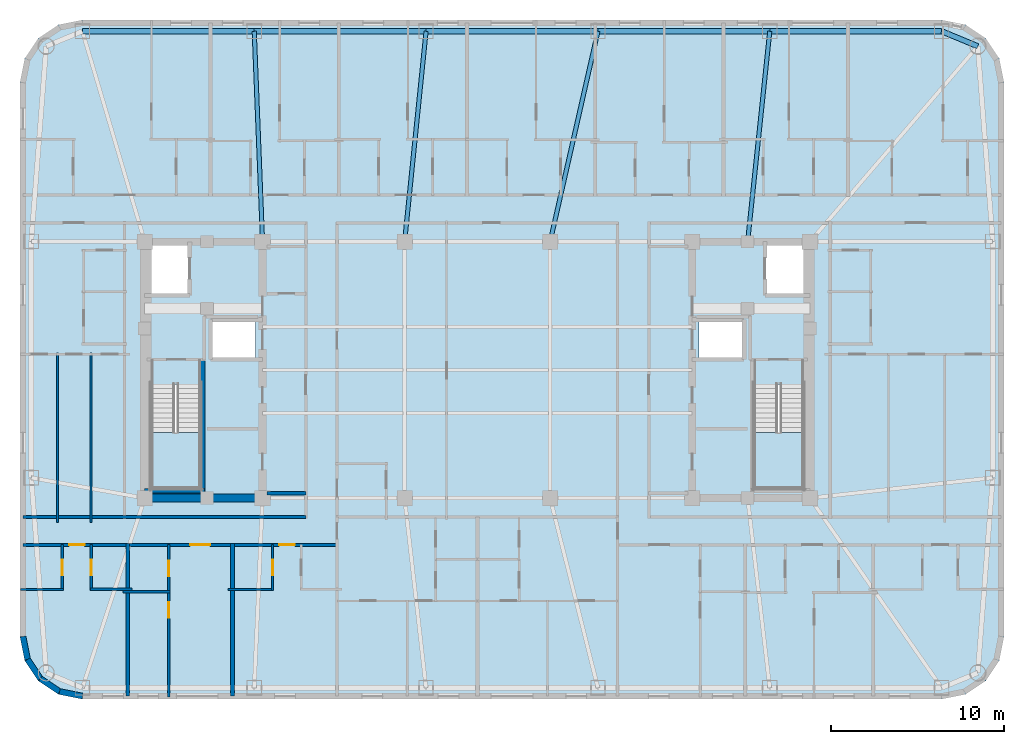
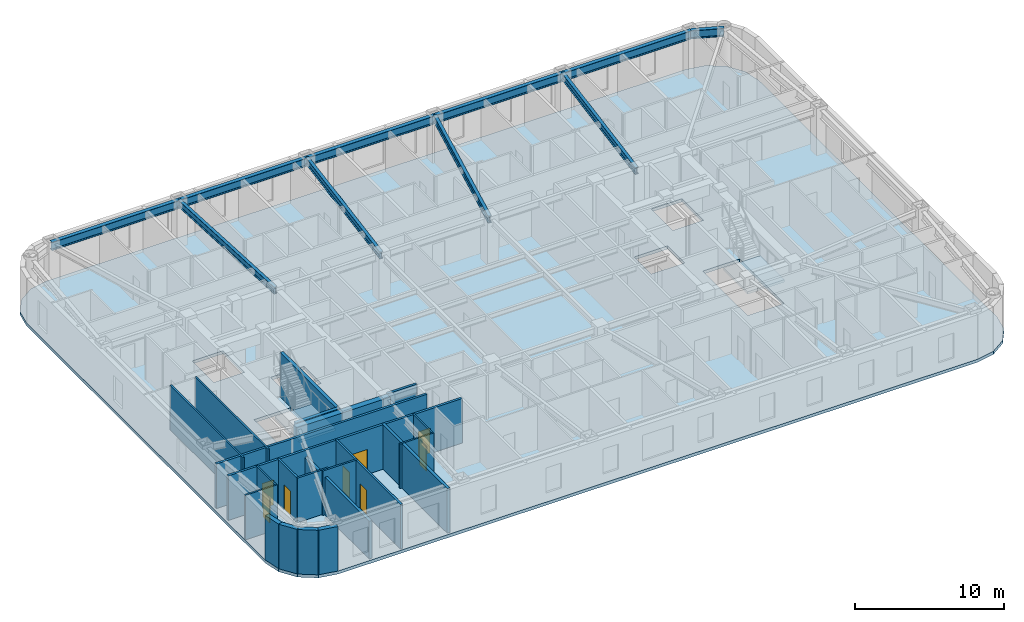
# One storey, part 2 of 11: 23 walls, 10 beams, 8 doors, 3 slabs, 8 openings, 2 elements without a shape of their own.
"""IFC4 building model written with IfcOpenShell, lengths in metres."""

from ifc_helpers import new_model, si_unit, direction, frame, frame_2d, origin, origin_2d, place, context, subcontext, project, spatial, polyline, rectangle, i_section, outline, extrude, material, layer, layer_set, material_profile, profile_set, type_object, element, fill, aggregate, save


model = new_model("IFC4")

# Units and contexts
model_context = context("Model", 3, precision=1e-05, world=origin(), true_north=direction((0.0, 1.0)))
body_context = subcontext(model_context, "Body", "Model", "MODEL_VIEW")
ifc_project = project(units=[si_unit("LENGTHUNIT", "METRE"), si_unit("AREAUNIT", "SQUARE_METRE"), si_unit("VOLUMEUNIT", "CUBIC_METRE"), si_unit("PLANEANGLEUNIT", "RADIAN"), si_unit("MASSUNIT", "GRAM", prefix="KILO")], contexts=[model_context])

# Site, building, storey
site_placement = place(None, origin())
site = spatial("IfcSite", under=ifc_project, at=site_placement, CompositionType="ELEMENT")
building_placement = place(site_placement, origin())
building = spatial("IfcBuilding", under=site, at=building_placement, Name="Voryun Gate Residences", CompositionType="ELEMENT")
storey_placement = place(building_placement, frame((0.0, 0.0, 235.300048828125)))
storey = spatial("IfcBuildingStorey", under=building, at=storey_placement, Name="L58", CompositionType="ELEMENT", Elevation=235.300048828125)

# Beams
ifc_material_1 = material(Name="Steel SM355", Category="steel")
ifc_material_profile_1 = material_profile(ifc_material_1, i_section(OverallWidth=0.300048828125, OverallDepth=0.679931640625, WebThickness=0.013916015625, FlangeThickness=0.02490234375, FilletRadius=0.01806640625, at=origin_2d()), Name="H-680x300x14x25")
ifc_profile_set_1 = profile_set([ifc_material_profile_1], Name="Steel SM355")
beam_type_1 = type_object("IfcBeamType", Name="BM_EXO_SPANDREL_M", PredefinedType="SPANDREL", material=ifc_profile_set_1)
beam_1_placement = place(storey_placement, frame((28.885986328125, 18.68603515625, 3.31005859375), z_axis=(-0.923881087602, 0.382679678022, 0.0), x_axis=(-0.382679678022, -0.923881087602, 0.0)))
element("IfcBeam", 1, at=beam_1_placement, inside=storey, type_object=beam_type_1, Name="BM-L58-SPAND-10", PredefinedType="SPANDREL", context=body_context, shape_type="SweptSolid", body=[
    extrude(i_section(OverallWidth=0.300048828125, OverallDepth=0.679931640625, WebThickness=0.013916015625, FlangeThickness=0.02490234375, FilletRadius=0.01806640625, at=origin_2d()), origin(), (0.0, 0.0, 1.0), 2.2578125),
])
beam_2_placement = place(storey_placement, frame((26.800048828125, 19.550048828125, 3.31005859375), z_axis=(-1.0, 0.0, 0.0), x_axis=(0.0, -1.0, 0.0)))
element("IfcBeam", 2, at=beam_2_placement, inside=storey, type_object=beam_type_1, Name="BM-L58-SPAND-11", PredefinedType="SPANDREL", context=body_context, shape_type="SweptSolid", body=[
    extrude(i_section(OverallWidth=0.300048828125, OverallDepth=0.679931640625, WebThickness=0.013916015625, FlangeThickness=0.02490234375, FilletRadius=0.01806640625, at=origin_2d()), origin(), (0.0, 0.0, 1.0), 9.920166015625),
])
for number, where, z_axis, x_axis, name in (
    (3, (16.8798828125, 19.550048828125, 3.31005859375), (-1.0, 0.0, 0.0), (0.0, -1.0, 0.0), "BM-L58-SPAND-12"),
    (4, (6.9599609375, 19.550048828125, 3.31005859375), (-1.0, 0.0, 0.0), (0.0, -1.0, 0.0), "BM-L58-SPAND-13"),
    (5, (-2.9599609375, 19.550048828125, 3.31005859375), (-1.0, 0.0, 0.0), (0.0, -1.0, 0.0), "BM-L58-SPAND-14"),
):
    element("IfcBeam", number, at=place(storey_placement, frame(where, z_axis=z_axis, x_axis=x_axis)), inside=storey, type_object=beam_type_1, Name=name, PredefinedType="SPANDREL", context=body_context, shape_type="SweptSolid", body=[
        extrude(i_section(OverallWidth=0.300048828125, OverallDepth=0.679931640625, WebThickness=0.013916015625, FlangeThickness=0.02490234375, FilletRadius=0.01806640625, at=origin_2d()), origin(), (0.0, 0.0, 1.0), 9.919921875),
    ])
beam_3_placement = place(storey_placement, frame((-12.8798828125, 19.550048828125, 3.31005859375), z_axis=(-1.0, 0.0, 0.0), x_axis=(0.0, -1.0, 0.0)))
element("IfcBeam", 6, at=beam_3_placement, inside=storey, type_object=beam_type_1, Name="BM-L58-SPAND-15", PredefinedType="SPANDREL", context=body_context, shape_type="SweptSolid", body=[
    extrude(i_section(OverallWidth=0.300048828125, OverallDepth=0.679931640625, WebThickness=0.013916015625, FlangeThickness=0.02490234375, FilletRadius=0.01806640625, at=origin_2d()), origin(), (0.0, 0.0, 1.0), 9.920166015625),
])
ifc_material_2 = material(Name="Steel SM355", Category="steel")
ifc_material_profile_2 = material_profile(ifc_material_2, i_section(OverallWidth=0.239990234375, OverallDepth=0.550048828125, WebThickness=0.011962890625, FlangeThickness=0.02001953125, FilletRadius=0.01806640625, at=origin_2d()), Name="H-550x240x12x20")
ifc_profile_set_2 = profile_set([ifc_material_profile_2], Name="Steel SM355")
beam_type_2 = type_object("IfcBeamType", Name="BM_GIRD_550", PredefinedType="USERDEFINED", material=ifc_profile_set_2)
beam_4_placement = place(storey_placement, frame((15.60009765625, 7.39990234375, 3.375), z_axis=(0.104751358085, 0.994498442925, 0.0), x_axis=(-0.994498442925, 0.104751358085, 0.0)))
element("IfcBeam", 7, at=beam_4_placement, inside=storey, type_object=beam_type_2, Name="BM-L58-RAD-N2", ObjectType="GIRDER", PredefinedType="USERDEFINED", context=body_context, shape_type="SweptSolid", body=[
    extrude(i_section(OverallWidth=0.239990234375, OverallDepth=0.550048828125, WebThickness=0.011962890625, FlangeThickness=0.02001953125, FilletRadius=0.01806640625, at=origin_2d()), origin(), (0.0, 0.0, 1.0), 12.21728515625),
])
beam_5_placement = place(storey_placement, frame((4.199951171875, 7.39990234375, 3.375), z_axis=(0.221515238368, 0.975156910026, 0.0), x_axis=(-0.975156910026, 0.221515238368, 0.0)))
element("IfcBeam", 8, at=beam_5_placement, inside=storey, type_object=beam_type_2, Name="BM-L58-RAD-N3", ObjectType="GIRDER", PredefinedType="USERDEFINED", context=body_context, shape_type="SweptSolid", body=[
    extrude(i_section(OverallWidth=0.239990234375, OverallDepth=0.550048828125, WebThickness=0.011962890625, FlangeThickness=0.02001953125, FilletRadius=0.01806640625, at=origin_2d()), origin(), (0.0, 0.0, 1.0), 12.459716796875),
])
beam_6_placement = place(storey_placement, frame((-4.199951171875, 7.39990234375, 3.375), z_axis=(0.101528223047, 0.994832659257, 0.0), x_axis=(-0.994832659257, 0.101528223047, 0.0)))
element("IfcBeam", 9, at=beam_6_placement, inside=storey, type_object=beam_type_2, Name="BM-L58-RAD-N4", ObjectType="GIRDER", PredefinedType="USERDEFINED", context=body_context, shape_type="SweptSolid", body=[
    extrude(i_section(OverallWidth=0.239990234375, OverallDepth=0.550048828125, WebThickness=0.011962890625, FlangeThickness=0.02001953125, FilletRadius=0.01806640625, at=origin_2d()), origin(), (0.0, 0.0, 1.0), 12.213134765625),
])
beam_7_placement = place(storey_placement, frame((-12.39990234375, 7.39990234375, 3.375), z_axis=(-0.039473300578, 0.999220625558, 0.0), x_axis=(-0.999220625558, -0.039473300578, 0.0)))
element("IfcBeam", 10, at=beam_7_placement, inside=storey, type_object=beam_type_2, Name="BM-L58-RAD-N5", ObjectType="GIRDER", PredefinedType="USERDEFINED", context=body_context, shape_type="SweptSolid", body=[
    extrude(i_section(OverallWidth=0.239990234375, OverallDepth=0.550048828125, WebThickness=0.011962890625, FlangeThickness=0.02001953125, FilletRadius=0.01806640625, at=origin_2d()), origin(), (0.0, 0.0, 1.0), 12.15966796875),
])

# Slab
ifc_material_3 = material(Name="Concrete C40/50", Category="concrete")
ifc_layer_1 = layer(ifc_material_3, 0.25, Name="SLB_RES_250")
ifc_layer_set_1 = layer_set([ifc_layer_1], Name="Concrete C40/50")
slab_type_1 = type_object("IfcSlabType", Name="SLB_RES_250", PredefinedType="FLOOR", material=ifc_layer_set_1)
slab_1_placement = place(storey_placement, frame((0.0, 0.0, -0.25)))
element("IfcSlab", 11, at=slab_1_placement, inside=storey, type_object=slab_type_1, Name="L58 Structural Floor Slab", PredefinedType="FLOOR", context=body_context, shape_type="SweptSolid", body=[
    extrude(outline(polyline([(-22.800048828125, -19.0), (-24.177734375, -18.72607421875), (-25.345458984375, -17.945556640625), (-26.1259765625, -16.777587890625), (-26.39990234375, -15.39990234375), (-26.39990234375, 16.60009765625), (-26.1259765625, 17.9775390625), (-25.345458984375, 19.1455078125), (-24.177734375, 19.926025390625), (-22.800048828125, 20.199951171875), (26.800048828125, 20.199951171875), (28.177734375, 19.926025390625), (29.345458984375, 19.1455078125), (30.1259765625, 17.9775390625), (30.39990234375, 16.60009765625), (30.39990234375, -15.39990234375), (30.1259765625, -16.777587890625), (29.345458984375, -17.945556640625), (28.177734375, -18.72607421875), (26.800048828125, -19.0), (-22.800048828125, -19.0)]), holes=[polyline([(-15.97509765625, -0.840087890625), (-18.824951171875, -0.840087890625), (-18.824951171875, -6.85009765625), (-15.97509765625, -6.85009765625), (-15.97509765625, -0.840087890625)]), polyline([(18.824951171875, -6.85009765625), (18.824951171875, -0.840087890625), (15.97509765625, -0.840087890625), (15.97509765625, -6.85009765625), (18.824951171875, -6.85009765625)]), polyline([(-12.800048828125, 2.89990234375), (-15.39990234375, 2.89990234375), (-15.39990234375, 0.60009765625), (-12.800048828125, 0.60009765625), (-12.800048828125, 2.89990234375)]), polyline([(12.800048828125, 2.89990234375), (12.800048828125, 0.60009765625), (15.39990234375, 0.60009765625), (15.39990234375, 2.89990234375), (12.800048828125, 2.89990234375)]), polyline([(-16.60009765625, 7.199951171875), (-19.0, 7.199951171875), (-19.0, 4.300048828125), (-16.60009765625, 4.300048828125), (-16.60009765625, 7.199951171875)]), polyline([(19.0, 7.199951171875), (16.60009765625, 7.199951171875), (16.60009765625, 4.300048828125), (19.0, 4.300048828125), (19.0, 7.199951171875)])]), origin(), (0.0, 0.0, 1.0), 0.25),
])

# Stair, slab
ifc_material_4 = material(Name="Concrete C40/50", Category="concrete")
stair_type = type_object("IfcStairType", Name="STR_CORE_DOGLEG_1350", PredefinedType="HALF_TURN_STAIR", material=ifc_material_4)
stair_1_placement = place(storey_placement, origin())
stair_1 = element("IfcStair", 12, at=stair_1_placement, inside=storey, type_object=stair_type, Name="L58 Special Escape Stair ST-W1", PredefinedType="HALF_TURN_STAIR")
ifc_material_5 = material(Name="Concrete C40/50", Category="concrete")
ifc_layer_2 = layer(ifc_material_5, 0.199951171875, Name="SLB_STAIR_LANDING_200")
ifc_layer_set_2 = layer_set([ifc_layer_2], Name="Concrete C40/50")
slab_type_2 = type_object("IfcSlabType", Name="SLB_STAIR_LANDING_200", PredefinedType="LANDING", material=ifc_layer_set_2)
slab_2_placement = place(storey_placement, frame((0.0, 0.0, 1.75)))
slab_2 = element("IfcSlab", 13, at=slab_2_placement, type_object=slab_type_2, Name="ST-W1 landing 1", PredefinedType="LANDING", context=body_context, shape_type="SweptSolid", body=[
    extrude(outline(polyline([(-18.824951171875, -3.60009765625), (-18.824951171875, -6.85009765625), (-15.97509765625, -6.85009765625), (-15.97509765625, -3.60009765625), (-18.824951171875, -3.60009765625)])), origin(), (0.0, 0.0, 1.0), 0.199951171875),
])
aggregate(stair_1, [slab_2])

stair_2_placement = place(storey_placement, origin())
stair_2 = element("IfcStair", 14, at=stair_2_placement, inside=storey, type_object=stair_type, Name="L58 Special Escape Stair ST-E1", PredefinedType="HALF_TURN_STAIR")
slab_3_placement = place(storey_placement, frame((0.0, 0.0, 1.75)))
slab_3 = element("IfcSlab", 15, at=slab_3_placement, type_object=slab_type_2, Name="ST-E1 landing 1", PredefinedType="LANDING", context=body_context, shape_type="SweptSolid", body=[
    extrude(outline(polyline([(15.97509765625, -3.60009765625), (15.97509765625, -6.85009765625), (18.824951171875, -6.85009765625), (18.824951171875, -3.60009765625), (15.97509765625, -3.60009765625)])), origin(), (0.0, 0.0, 1.0), 0.199951171875),
])
aggregate(stair_2, [slab_3])

# Walls
ifc_material_6 = material(Name="Concrete C50/60", Category="concrete")
ifc_layer_3 = layer(ifc_material_6, 0.449951171875, Name="CW_CORE_450")
ifc_layer_set_3 = layer_set([ifc_layer_3], Name="Concrete C50/60")
wall_type_1 = type_object("IfcWallType", Name="CW_CORE_450", PredefinedType="SHEAR", material=ifc_layer_set_3)
wall_1_placement = place(storey_placement, frame((-19.425048828125, -7.39990234375, 0.0), z_axis=(0.0, 0.0, 1.0), x_axis=(1.0, 0.0, 0.0)))
element("IfcWall", 16, at=wall_1_placement, inside=storey, type_object=wall_type_1, Name="L58 Core shear wall CW-L58-WS", PredefinedType="SHEAR", context=body_context, shape_type="SweptSolid", body=[
    extrude(rectangle(XDim=7.25, YDim=0.449951171875, at=frame_2d((3.625, 0.0))), origin(), (0.0, 0.0, 1.0), 3.64990234375),
])
ifc_material_7 = material(Name="Gypsum acoustic fireboard")
ifc_layer_4 = layer(ifc_material_7, 0.179931640625, Name="W_CORR_RATED_180")
ifc_layer_set_4 = layer_set([ifc_layer_4], Name="Gypsum acoustic fireboard")
wall_type_2 = type_object("IfcWallType", Name="W_CORR_RATED_180", PredefinedType="PARTITIONING", material=ifc_layer_set_4)
wall_2_placement = place(storey_placement, frame((-12.14990234375, -7.1201171875, 0.0), z_axis=(0.0, 0.0, 1.0), x_axis=(1.0, 0.0, 0.0)))
element("IfcWall", 17, at=wall_2_placement, inside=storey, type_object=wall_type_2, Name="Partition wall WP-L58-PLBS-W", PredefinedType="PARTITIONING", context=body_context, shape_type="SweptSolid", body=[
    extrude(rectangle(XDim=2.27001953125, YDim=0.179931640625, at=frame_2d((1.135009765625, 0.0))), origin(), (0.0, 0.0, 1.0), 3.64990234375),
])
wall_3_placement = place(storey_placement, frame((-26.22998046875, -8.489990234375, 0.0), z_axis=(0.0, 0.0, 1.0), x_axis=(1.0, 0.0, 0.0)))
element("IfcWall", 18, at=wall_3_placement, inside=storey, type_object=wall_type_2, Name="Partition wall WP-L58-CWING-WS", PredefinedType="PARTITIONING", context=body_context, shape_type="SweptSolid", body=[
    extrude(rectangle(XDim=16.35009765625, YDim=0.179931640625, at=frame_2d((8.175048828125, 0.0))), origin(), (0.0, 0.0, 1.0), 3.64990234375),
])

# Wall, openings, doors
wall_4_placement = place(storey_placement, frame((-26.22998046875, -10.10009765625, 0.0), z_axis=(0.0, 0.0, 1.0), x_axis=(1.0, 0.0, 0.0)))
wall_4 = element("IfcWall", 19, at=wall_4_placement, inside=storey, type_object=wall_type_2, Name="Partition wall WP-L58-SCORR-W", PredefinedType="PARTITIONING", context=body_context, shape_type="SweptSolid", body=[
    extrude(rectangle(XDim=18.14990234375, YDim=0.179931640625, at=frame_2d((9.074951171875, 0.0))), origin(), (0.0, 0.0, 1.0), 3.64990234375),
])
opening_1_placement = place(wall_4_placement, frame((2.6591796875, 0.0, 0.0)))
opening_1 = element("IfcOpeningElement", 20, at=opening_1_placement, cuts=wall_4, Name="Opening D-INT-2", PredefinedType="OPENING", context=body_context, shape_type="SweptSolid", body=[
    extrude(rectangle(XDim=0.89990234375, YDim=2.050048828125, at=frame_2d((0.449951171875, 1.02490234375))), frame((0.0, 0.099853515625, 0.0), z_axis=(0.0, -1.0, 0.0), x_axis=(1.0, 0.0, 0.0)), (0.0, 0.0, 1.0), 0.199951171875),
])
opening_2_placement = place(wall_4_placement, frame((9.654296875, 0.0, 0.0)))
opening_2 = element("IfcOpeningElement", 21, at=opening_2_placement, cuts=wall_4, Name="Opening D-UNIT-1", PredefinedType="OPENING", context=body_context, shape_type="SweptSolid", body=[
    extrude(rectangle(XDim=1.14990234375, YDim=2.050048828125, at=frame_2d((0.574951171875, 1.02490234375))), frame((0.0, 0.099853515625, 0.0), z_axis=(0.0, -1.0, 0.0), x_axis=(1.0, 0.0, 0.0)), (0.0, 0.0, 1.0), 0.199951171875),
])
opening_3_placement = place(wall_4_placement, frame((14.79248046875, 0.0, 0.0)))
opening_3 = element("IfcOpeningElement", 22, at=opening_3_placement, cuts=wall_4, Name="Opening D-INT-2", PredefinedType="OPENING", context=body_context, shape_type="SweptSolid", body=[
    extrude(rectangle(XDim=0.89990234375, YDim=2.050048828125, at=frame_2d((0.449951171875, 1.02490234375))), frame((0.0, 0.099853515625, 0.0), z_axis=(0.0, -1.0, 0.0), x_axis=(1.0, 0.0, 0.0)), (0.0, 0.0, 1.0), 0.199951171875),
])
ifc_material_8 = material(Name="Architectural oak veneer")
door_type_1 = type_object("IfcDoorType", Name="DR_INT_BATH_900", OperationType="NOTDEFINED", PredefinedType="DOOR", material=ifc_material_8)
door_1_placement = place(opening_1_placement, origin())
door_1 = element("IfcDoor", 23, at=door_1_placement, inside=storey, type_object=door_type_1, Name="Door DR-L58-SENT-1", OperationType="SINGLE_SWING_RIGHT", OverallHeight=2.050048828125, OverallWidth=0.89990234375, PredefinedType="DOOR", context=body_context, shape_type="SweptSolid", body=[
    extrude(rectangle(XDim=0.89990234375, YDim=2.050048828125, at=frame_2d((0.449951171875, 1.02490234375))), frame((0.0, 0.02490234375, 0.0), z_axis=(0.0, -1.0, 0.0), x_axis=(1.0, 0.0, 0.0)), (0.0, 0.0, 1.0), 0.050048828125),
])
fill(opening_1, door_1)
door_2_placement = place(opening_3_placement, origin())
door_2 = element("IfcDoor", 24, at=door_2_placement, inside=storey, type_object=door_type_1, Name="Door DR-L58-SENT-3", OperationType="SINGLE_SWING_RIGHT", OverallHeight=2.050048828125, OverallWidth=0.89990234375, PredefinedType="DOOR", context=body_context, shape_type="SweptSolid", body=[
    extrude(rectangle(XDim=0.89990234375, YDim=2.050048828125, at=frame_2d((0.449951171875, 1.02490234375))), frame((0.0, 0.02490234375, 0.0), z_axis=(0.0, -1.0, 0.0), x_axis=(1.0, 0.0, 0.0)), (0.0, 0.0, 1.0), 0.050048828125),
])
fill(opening_3, door_2)
ifc_material_9 = material(Name="Armoured timber-clad fire door", Category="wood")
door_type_2 = type_object("IfcDoorType", Name="DR_UNIT_ENTRY_1150", OperationType="NOTDEFINED", PredefinedType="DOOR", material=ifc_material_9)
door_3_placement = place(opening_2_placement, origin())
door_3 = element("IfcDoor", 25, at=door_3_placement, inside=storey, type_object=door_type_2, Name="Door DR-L58-SENT-2", OperationType="SINGLE_SWING_LEFT", OverallHeight=2.050048828125, OverallWidth=1.14990234375, PredefinedType="DOOR", context=body_context, shape_type="SweptSolid", body=[
    extrude(rectangle(XDim=1.14990234375, YDim=2.050048828125, at=frame_2d((0.574951171875, 1.02490234375))), frame((0.0, 0.02490234375, 0.0), z_axis=(0.0, -1.0, 0.0), x_axis=(1.0, 0.0, 0.0)), (0.0, 0.0, 1.0), 0.050048828125),
])
fill(opening_2, door_3)

# Walls
ifc_material_10 = material(Name="Charcoal terracotta masonry", Category="masonry")
ifc_layer_5 = layer(ifc_material_10, 0.340087890625, Name="W_EXT_TERRACOTTA_340")
ifc_layer_set_5 = layer_set([ifc_layer_5], Name="Charcoal terracotta masonry")
wall_type_3 = type_object("IfcWallType", Name="W_EXT_TERRACOTTA_340", PredefinedType="ELEMENTEDWALL", material=ifc_layer_set_5)
wall_5_placement = place(storey_placement, frame((-22.783203125, -18.830078125, 0.0), z_axis=(0.0, 0.0, 1.0), x_axis=(-0.980788153188, 0.195075878998, 0.0)))
element("IfcWall", 26, at=wall_5_placement, inside=storey, type_object=wall_type_3, Name="Exterior wall WEXT-L58-02", PredefinedType="ELEMENTEDWALL", context=body_context, shape_type="SweptSolid", body=[
    extrude(rectangle(XDim=1.354248046875, YDim=0.340087890625, at=frame_2d((0.67724609375, 0.0))), origin(), (0.0, 0.0, 1.0), 3.64990234375),
])
wall_6_placement = place(storey_placement, frame((-24.111328125, -18.56591796875, 0.0), z_axis=(0.0, 0.0, 1.0), x_axis=(-0.831403586725, 0.555669034571, 0.0)))
element("IfcWall", 27, at=wall_6_placement, inside=storey, type_object=wall_type_3, Name="Exterior wall WEXT-L58-03", PredefinedType="ELEMENTEDWALL", context=body_context, shape_type="SweptSolid", body=[
    extrude(rectangle(XDim=1.3369140625, YDim=0.340087890625, at=frame_2d((0.66845703125, 0.0))), origin(), (0.0, 0.0, 1.0), 3.64990234375),
])
wall_7_placement = place(storey_placement, frame((-25.222900390625, -17.822998046875, 0.0), z_axis=(0.0, 0.0, 1.0), x_axis=(-0.555584683399, 0.831459956686, 0.0)))
element("IfcWall", 28, at=wall_7_placement, inside=storey, type_object=wall_type_3, Name="Exterior wall WEXT-L58-04", PredefinedType="ELEMENTEDWALL", context=body_context, shape_type="SweptSolid", body=[
    extrude(rectangle(XDim=1.337158203125, YDim=0.340087890625, at=frame_2d((0.66845703125, 0.0))), origin(), (0.0, 0.0, 1.0), 3.64990234375),
])
wall_8_placement = place(storey_placement, frame((-25.9658203125, -16.711181640625, 0.0), z_axis=(0.0, 0.0, 1.0), x_axis=(-0.195110379894, 0.98078129043, 0.0)))
element("IfcWall", 29, at=wall_8_placement, inside=storey, type_object=wall_type_3, Name="Exterior wall WEXT-L58-05", PredefinedType="ELEMENTEDWALL", context=body_context, shape_type="SweptSolid", body=[
    extrude(rectangle(XDim=1.35400390625, YDim=0.340087890625, at=frame_2d((0.677001953125, 0.0))), origin(), (0.0, 0.0, 1.0), 3.64990234375),
])
ifc_material_11 = material(Name="Concrete C40/50", Category="concrete")
ifc_layer_6 = layer(ifc_material_11, 0.219970703125, Name="W_PARTY_ACOUSTIC_220")
ifc_layer_set_6 = layer_set([ifc_layer_6], Name="Concrete C40/50")
wall_type_4 = type_object("IfcWallType", Name="W_PARTY_ACOUSTIC_220", PredefinedType="PARTITIONING", material=ifc_layer_set_6)
wall_9_placement = place(storey_placement, frame((-20.18505859375, -18.830078125, 0.0), z_axis=(0.0, 0.0, 1.0), x_axis=(0.0, 1.0, 0.0)))
element("IfcWall", 30, at=wall_9_placement, inside=storey, type_object=wall_type_4, Name="Partition wall WP-L58-SPTY-1", PredefinedType="PARTITIONING", context=body_context, shape_type="SweptSolid", body=[
    extrude(rectangle(XDim=8.81005859375, YDim=0.219970703125, at=frame_2d((4.405029296875, 0.0))), origin(), (0.0, 0.0, 1.0), 3.08984375),
])
wall_10_placement = place(storey_placement, frame((-14.132080078125, -18.830078125, 0.0), z_axis=(0.0, 0.0, 1.0), x_axis=(0.0, 1.0, 0.0)))
element("IfcWall", 31, at=wall_10_placement, inside=storey, type_object=wall_type_4, Name="Partition wall WP-L58-SPTY-2", PredefinedType="PARTITIONING", context=body_context, shape_type="SweptSolid", body=[
    extrude(rectangle(XDim=8.81005859375, YDim=0.219970703125, at=frame_2d((4.405029296875, 0.0))), origin(), (0.0, 0.0, 1.0), 3.64990234375),
])
ifc_material_12 = material(Name="Concrete C50/60", Category="concrete")
ifc_layer_7 = layer(ifc_material_12, 0.25, Name="W_SHAFT_RC250")
ifc_layer_set_7 = layer_set([ifc_layer_7], Name="Concrete C50/60")
wall_type_5 = type_object("IfcWallType", Name="W_SHAFT_RC250", PredefinedType="SOLIDWALL", material=ifc_layer_set_7)
wall_11_placement = place(storey_placement, frame((-15.860107421875, -7.0849609375, 0.0), z_axis=(0.0, 0.0, 1.0), x_axis=(0.0, 1.0, 0.0)))
element("IfcWall", 32, at=wall_11_placement, inside=storey, type_object=wall_type_5, Name="L58 Stair shaft structural wall W-STR", PredefinedType="SOLIDWALL", context=body_context, shape_type="SweptSolid", body=[
    extrude(rectangle(XDim=7.68505859375, YDim=0.25, at=frame_2d((3.842529296875, 0.0))), origin(), (0.0, 0.0, 1.0), 3.64990234375),
])
wall_12_placement = place(storey_placement, frame((-19.199951171875, -6.965087890625, 0.0), z_axis=(0.0, 0.0, 1.0), x_axis=(1.0, 0.0, 0.0)))
element("IfcWall", 33, at=wall_12_placement, inside=storey, type_object=wall_type_5, Name="L58 Stair shaft structural wall W-STS", PredefinedType="SOLIDWALL", context=body_context, shape_type="SweptSolid", body=[
    extrude(rectangle(XDim=3.4599609375, YDim=0.25, at=frame_2d((1.72998046875, 0.0))), origin(), (0.0, 0.0, 1.0), 3.64990234375),
])

# Wall, opening, door
ifc_material_13 = material(Name="Gypsum acoustic partition")
ifc_layer_8 = layer(ifc_material_13, 0.125, Name="W_UNIT_PART_125")
ifc_layer_set_8 = layer_set([ifc_layer_8], Name="Gypsum acoustic partition")
wall_type_6 = type_object("IfcWallType", Name="W_UNIT_PART_125", PredefinedType="PARTITIONING", material=ifc_layer_set_8)
wall_13_placement = place(storey_placement, frame((-23.9599609375, -12.72998046875, 0.0), z_axis=(0.0, 0.0, 1.0), x_axis=(0.0, 1.0, 0.0)))
wall_13 = element("IfcWall", 34, at=wall_13_placement, inside=storey, type_object=wall_type_6, Name="Partition wall WP-L58-S1-CVK", PredefinedType="PARTITIONING", context=body_context, shape_type="SweptSolid", body=[
    extrude(rectangle(XDim=2.64990234375, YDim=0.125, at=frame_2d((1.324951171875, 0.0))), origin(), (0.0, 0.0, 1.0), 3.64990234375),
])
opening_4_placement = place(wall_13_placement, frame((0.875, 0.0, 0.0)))
opening_4 = element("IfcOpeningElement", 35, at=opening_4_placement, cuts=wall_13, Name="Opening D-INT-2", PredefinedType="OPENING", context=body_context, shape_type="SweptSolid", body=[
    extrude(rectangle(XDim=0.89990234375, YDim=2.050048828125, at=frame_2d((0.449951171875, 1.02490234375))), frame((0.0, 0.072509765625, 0.0), z_axis=(0.0, -1.0, 0.0), x_axis=(1.0, 0.0, 0.0)), (0.0, 0.0, 1.0), 0.14501953125),
])
door_4_placement = place(opening_4_placement, origin())
door_4 = element("IfcDoor", 36, at=door_4_placement, inside=storey, type_object=door_type_1, Name="Door DR-L58-S1-DK", OperationType="SINGLE_SWING_LEFT", OverallHeight=2.050048828125, OverallWidth=0.89990234375, PredefinedType="DOOR", context=body_context, shape_type="SweptSolid", body=[
    extrude(rectangle(XDim=0.89990234375, YDim=2.050048828125, at=frame_2d((0.449951171875, 1.02490234375))), frame((0.0, 0.02490234375, 0.0), z_axis=(0.0, -1.0, 0.0), x_axis=(1.0, 0.0, 0.0)), (0.0, 0.0, 1.0), 0.050048828125),
])
fill(opening_4, door_4)

# Wall
wall_14_placement = place(storey_placement, frame((-26.3798828125, -12.669921875, 0.0), z_axis=(0.0, 0.0, 1.0), x_axis=(1.0, 0.0, 0.0)))
element("IfcWall", 37, at=wall_14_placement, inside=storey, type_object=wall_type_6, Name="Partition wall WP-L58-S1-CHK", PredefinedType="PARTITIONING", context=body_context, shape_type="SweptSolid", body=[
    extrude(rectangle(XDim=2.47998046875, YDim=0.125, at=frame_2d((1.239990234375, 0.0))), origin(), (0.0, 0.0, 1.0), 3.64990234375),
])

# Wall, opening, door
wall_15_placement = place(storey_placement, frame((-11.818115234375, -12.72998046875, 0.0), z_axis=(0.0, 0.0, 1.0), x_axis=(0.0, 1.0, 0.0)))
wall_15 = element("IfcWall", 38, at=wall_15_placement, inside=storey, type_object=wall_type_6, Name="Partition wall WP-L58-S3-CVK", PredefinedType="PARTITIONING", context=body_context, shape_type="SweptSolid", body=[
    extrude(rectangle(XDim=2.64990234375, YDim=0.125, at=frame_2d((1.324951171875, 0.0))), origin(), (0.0, 0.0, 1.0), 3.64990234375),
])
opening_5_placement = place(wall_15_placement, frame((0.875, 0.0, 0.0)))
opening_5 = element("IfcOpeningElement", 39, at=opening_5_placement, cuts=wall_15, Name="Opening D-INT-2", PredefinedType="OPENING", context=body_context, shape_type="SweptSolid", body=[
    extrude(rectangle(XDim=0.89990234375, YDim=2.050048828125, at=frame_2d((0.449951171875, 1.02490234375))), frame((0.0, 0.072509765625, 0.0), z_axis=(0.0, -1.0, 0.0), x_axis=(1.0, 0.0, 0.0)), (0.0, 0.0, 1.0), 0.14501953125),
])
door_5_placement = place(opening_5_placement, origin())
door_5 = element("IfcDoor", 40, at=door_5_placement, inside=storey, type_object=door_type_1, Name="Door DR-L58-S3-DK", OperationType="SINGLE_SWING_LEFT", OverallHeight=2.050048828125, OverallWidth=0.89990234375, PredefinedType="DOOR", context=body_context, shape_type="SweptSolid", body=[
    extrude(rectangle(XDim=0.89990234375, YDim=2.050048828125, at=frame_2d((0.449951171875, 1.02490234375))), frame((0.0, 0.02490234375, 0.0), z_axis=(0.0, -1.0, 0.0), x_axis=(1.0, 0.0, 0.0)), (0.0, 0.0, 1.0), 0.050048828125),
])
fill(opening_5, door_5)

# Walls
wall_16_placement = place(storey_placement, frame((-14.39208984375, -12.669921875, 0.0), z_axis=(0.0, 0.0, 1.0), x_axis=(1.0, 0.0, 0.0)))
element("IfcWall", 41, at=wall_16_placement, inside=storey, type_object=wall_type_6, Name="Partition wall WP-L58-S3-CHK", PredefinedType="PARTITIONING", context=body_context, shape_type="SweptSolid", body=[
    extrude(rectangle(XDim=2.634033203125, YDim=0.125, at=frame_2d((1.31689453125, 0.0))), origin(), (0.0, 0.0, 1.0), 3.64990234375),
])
for number, where, z_axis, x_axis, name in (
    (42, (-22.305908203125, -8.81005859375, 0.0), (0.0, 0.0, 1.0), (0.0, 1.0, 0.0), "Partition wall WP-L58-W1-VMB2"),
    (43, (-24.241943359375, -8.81005859375, 0.0), (0.0, 0.0, 1.0), (0.0, 1.0, 0.0), "Partition wall WP-L58-W1-VMB"),
):
    element("IfcWall", number, at=place(storey_placement, frame(where, z_axis=z_axis, x_axis=x_axis)), inside=storey, type_object=wall_type_6, Name=name, PredefinedType="PARTITIONING", context=body_context, shape_type="SweptSolid", body=[
        extrude(rectangle(XDim=9.780029296875, YDim=0.125, at=frame_2d((4.89013671875, 0.0))), origin(), (0.0, 0.0, 1.0), 3.64990234375),
    ])

# Wall, opening, door
ifc_material_14 = material(Name="Gypsum moisture-resistant partition")
ifc_layer_9 = layer(ifc_material_14, 0.14990234375, Name="W_WET_PLUMB_150")
ifc_layer_set_9 = layer_set([ifc_layer_9], Name="Gypsum moisture-resistant partition")
wall_type_7 = type_object("IfcWallType", Name="W_WET_PLUMB_150", PredefinedType="PLUMBINGWALL", material=ifc_layer_set_9)
wall_17_placement = place(storey_placement, frame((-22.281982421875, -12.72998046875, 0.0), z_axis=(0.0, 0.0, 1.0), x_axis=(0.0, 1.0, 0.0)))
wall_17 = element("IfcWall", 44, at=wall_17_placement, inside=storey, type_object=wall_type_7, Name="Partition wall WP-L58-S1-CVB", PredefinedType="PLUMBINGWALL", context=body_context, shape_type="SweptSolid", body=[
    extrude(rectangle(XDim=2.64990234375, YDim=0.14990234375, at=frame_2d((1.324951171875, 0.0))), origin(), (0.0, 0.0, 1.0), 3.64990234375),
])
opening_6_placement = place(wall_17_placement, frame((0.875, 0.0, 0.0)))
opening_6 = element("IfcOpeningElement", 45, at=opening_6_placement, cuts=wall_17, Name="Opening D-INT-2", PredefinedType="OPENING", context=body_context, shape_type="SweptSolid", body=[
    extrude(rectangle(XDim=0.89990234375, YDim=2.050048828125, at=frame_2d((0.449951171875, 1.02490234375))), frame((0.0, 0.0849609375, 0.0), z_axis=(0.0, -1.0, 0.0), x_axis=(1.0, 0.0, 0.0)), (0.0, 0.0, 1.0), 0.169921875),
])
door_6_placement = place(opening_6_placement, origin())
door_6 = element("IfcDoor", 46, at=door_6_placement, inside=storey, type_object=door_type_1, Name="Door DR-L58-S1-DB", OperationType="SINGLE_SWING_RIGHT", OverallHeight=2.050048828125, OverallWidth=0.89990234375, PredefinedType="DOOR", context=body_context, shape_type="SweptSolid", body=[
    extrude(rectangle(XDim=0.89990234375, YDim=2.050048828125, at=frame_2d((0.449951171875, 1.02490234375))), frame((0.0, 0.02490234375, 0.0), z_axis=(0.0, -1.0, 0.0), x_axis=(1.0, 0.0, 0.0)), (0.0, 0.0, 1.0), 0.050048828125),
])
fill(opening_6, door_6)

# Walls
wall_18_placement = place(storey_placement, frame((-22.342041015625, -12.669921875, 0.0), z_axis=(0.0, 0.0, 1.0), x_axis=(1.0, 0.0, 0.0)))
element("IfcWall", 47, at=wall_18_placement, inside=storey, type_object=wall_type_7, Name="Partition wall WP-L58-S1-CHB", PredefinedType="PLUMBINGWALL", context=body_context, shape_type="SweptSolid", body=[
    extrude(rectangle(XDim=2.4169921875, YDim=0.14990234375, at=frame_2d((1.20849609375, 0.0))), origin(), (0.0, 0.0, 1.0), 3.64990234375),
])
wall_19_placement = place(storey_placement, frame((-20.445068359375, -12.800048828125, 0.0), z_axis=(0.0, 0.0, 1.0), x_axis=(1.0, 0.0, 0.0)))
element("IfcWall", 48, at=wall_19_placement, inside=storey, type_object=wall_type_7, Name="Partition wall WP-L58-S2-SKB", PredefinedType="PLUMBINGWALL", context=body_context, shape_type="SweptSolid", body=[
    extrude(rectangle(XDim=2.714111328125, YDim=0.14990234375, at=frame_2d((1.35693359375, 0.0))), origin(), (0.0, 0.0, 1.0), 3.64990234375),
])

# Wall, opening, door
wall_20_placement = place(storey_placement, frame((-17.81103515625, -18.876708984375, 0.0), z_axis=(0.0, 0.0, 1.0), x_axis=(0.0, 1.0, 0.0)))
wall_20 = element("IfcWall", 49, at=wall_20_placement, inside=storey, type_object=wall_type_7, Name="Partition wall WP-L58-S2-SVT1", PredefinedType="PLUMBINGWALL", context=body_context, shape_type="SweptSolid", body=[
    extrude(rectangle(XDim=6.11669921875, YDim=0.14990234375, at=frame_2d((3.058349609375, 0.0))), origin(), (0.0, 0.0, 1.0), 3.64990234375),
])
opening_7_placement = place(wall_20_placement, frame((4.56591796875, 0.0, 0.0)))
opening_7 = element("IfcOpeningElement", 50, at=opening_7_placement, cuts=wall_20, Name="Opening D-INT-2", PredefinedType="OPENING", context=body_context, shape_type="SweptSolid", body=[
    extrude(rectangle(XDim=0.89990234375, YDim=2.050048828125, at=frame_2d((0.449951171875, 1.02490234375))), frame((0.0, 0.0849609375, 0.0), z_axis=(0.0, -1.0, 0.0), x_axis=(1.0, 0.0, 0.0)), (0.0, 0.0, 1.0), 0.169921875),
])
door_7_placement = place(opening_7_placement, origin())
door_7 = element("IfcDoor", 51, at=door_7_placement, inside=storey, type_object=door_type_1, Name="Door DR-L58-S2-DK", OperationType="SINGLE_SWING_LEFT", OverallHeight=2.050048828125, OverallWidth=0.89990234375, PredefinedType="DOOR", context=body_context, shape_type="SweptSolid", body=[
    extrude(rectangle(XDim=0.89990234375, YDim=2.050048828125, at=frame_2d((0.449951171875, 1.02490234375))), frame((0.0, 0.02490234375, 0.0), z_axis=(0.0, -1.0, 0.0), x_axis=(1.0, 0.0, 0.0)), (0.0, 0.0, 1.0), 0.050048828125),
])
fill(opening_7, door_7)

wall_21_placement = place(storey_placement, frame((-17.81103515625, -12.840087890625, 0.0), z_axis=(0.0, 0.0, 1.0), x_axis=(0.0, 1.0, 0.0)))
wall_21 = element("IfcWall", 52, at=wall_21_placement, inside=storey, type_object=wall_type_7, Name="Partition wall WP-L58-S2-SVT2", PredefinedType="PLUMBINGWALL", context=body_context, shape_type="SweptSolid", body=[
    extrude(rectangle(XDim=2.760009765625, YDim=0.14990234375, at=frame_2d((1.3798828125, 0.0))), origin(), (0.0, 0.0, 1.0), 3.64990234375),
])
opening_8_placement = place(wall_21_placement, frame((0.929931640625, 0.0, 0.0)))
opening_8 = element("IfcOpeningElement", 53, at=opening_8_placement, cuts=wall_21, Name="Opening D-INT-2", PredefinedType="OPENING", context=body_context, shape_type="SweptSolid", body=[
    extrude(rectangle(XDim=0.89990234375, YDim=2.050048828125, at=frame_2d((0.449951171875, 1.02490234375))), frame((0.0, 0.0849609375, 0.0), z_axis=(0.0, -1.0, 0.0), x_axis=(1.0, 0.0, 0.0)), (0.0, 0.0, 1.0), 0.169921875),
])
door_8_placement = place(opening_8_placement, origin())
door_8 = element("IfcDoor", 54, at=door_8_placement, inside=storey, type_object=door_type_1, Name="Door DR-L58-S2-DB", OperationType="SINGLE_SWING_RIGHT", OverallHeight=2.050048828125, OverallWidth=0.89990234375, PredefinedType="DOOR", context=body_context, shape_type="SweptSolid", body=[
    extrude(rectangle(XDim=0.89990234375, YDim=2.050048828125, at=frame_2d((0.449951171875, 1.02490234375))), frame((0.0, 0.02490234375, 0.0), z_axis=(0.0, -1.0, 0.0), x_axis=(1.0, 0.0, 0.0)), (0.0, 0.0, 1.0), 0.050048828125),
])
fill(opening_8, door_8)

save(model, "model.ifc")
